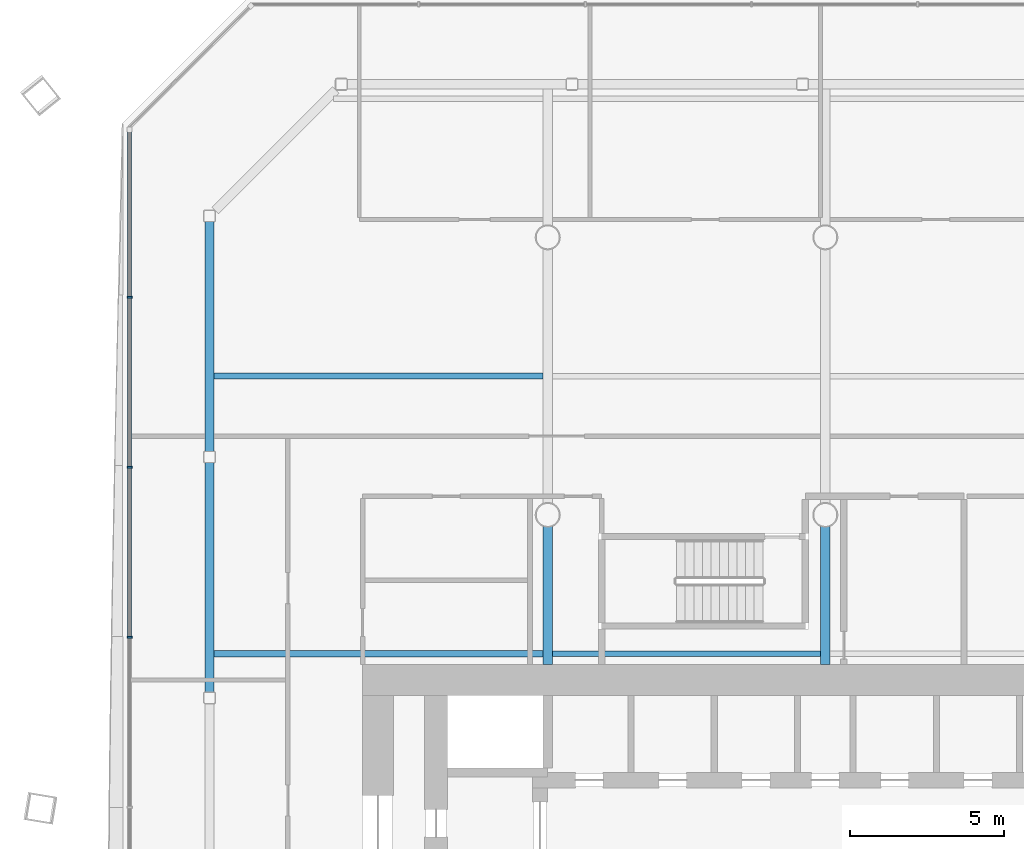
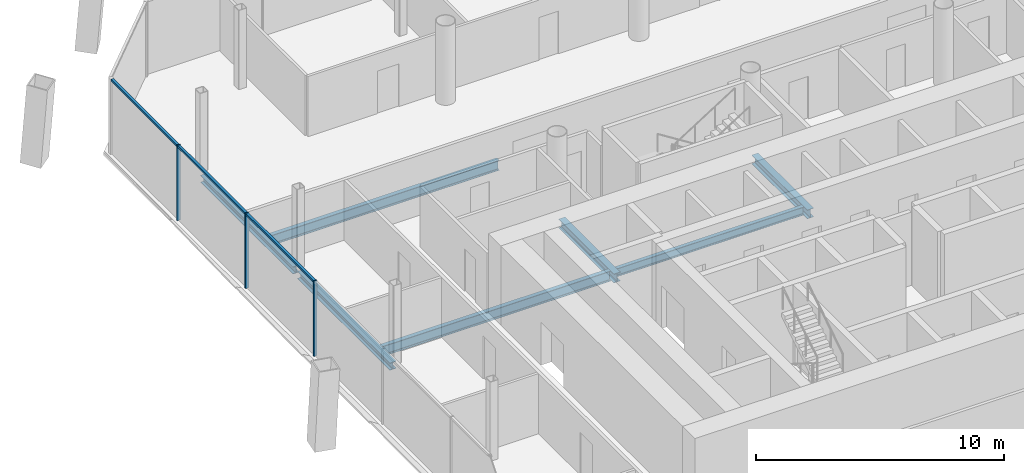
# One storey, part 7 of 20: 7 beams, 6 members, 1 element without a shape of its own.
"""IFC4 building model written with IfcOpenShell, lengths in metres."""

from ifc_helpers import new_model, si_unit, direction, frame, origin, origin_2d, place, context, subcontext, project, spatial, rectangle, i_section, extrude, material, material_profile, profile_set, type_object, element, aggregate, save


model = new_model("IFC4")

# Units and contexts
model_context = context("Model", 3, precision=1e-05, world=origin(), true_north=direction((0.0, 1.0)))
body_context = subcontext(model_context, "Body", "Model", "MODEL_VIEW")
ifc_project = project(units=[si_unit("LENGTHUNIT", "METRE"), si_unit("AREAUNIT", "SQUARE_METRE"), si_unit("VOLUMEUNIT", "CUBIC_METRE"), si_unit("PLANEANGLEUNIT", "RADIAN"), si_unit("MASSUNIT", "GRAM", prefix="KILO")], contexts=[model_context])

# Site, building, storey
site_placement = place(None, origin())
site = spatial("IfcSite", under=ifc_project, at=site_placement, CompositionType="ELEMENT")
building_placement = place(site_placement, origin())
building = spatial("IfcBuilding", under=site, at=building_placement, Name="Tskaro Facet Tower", CompositionType="ELEMENT")
storey_placement = place(building_placement, frame((0.0, 0.0, 66.0)))
storey = spatial("IfcBuildingStorey", under=building, at=storey_placement, Name="L15", CompositionType="ELEMENT", Elevation=66.0)

# Curtain wall, members
ifc_material_1 = material(Name="Bronze anodised aluminium 6063-T6", Category="aluminium")
curtain_wall_type = type_object("IfcCurtainWallType", Name="Bronze office curtain wall (FW1)", PredefinedType="NOTDEFINED", material=ifc_material_1)
curtain_wall_placement = place(storey_placement, origin())
curtain_wall = element("IfcCurtainWall", 1, at=curtain_wall_placement, inside=storey, type_object=curtain_wall_type, Name="FW1 west facet L15", PredefinedType="NOTDEFINED")
ifc_material_profile_1 = material_profile(ifc_material_1, rectangle(XDim=0.06005859375, YDim=0.159912109375, at=origin_2d()), Name="Mullion 60x160")
ifc_profile_set_1 = profile_set([ifc_material_profile_1], Name="Bronze anodised aluminium 6063-T6")
member_type_1 = type_object("IfcMemberType", Name="FW1 bronze mullion 60x160", PredefinedType="MULLION", material=ifc_profile_set_1)
member_1_placement = place(storey_placement, frame((-22.55908203125, 16.060791015625, 0.0), z_axis=(0.0, 0.0, 1.0), x_axis=(0.0, -1.0, 0.0)))
member_1 = element("IfcMember", 2, at=member_1_placement, type_object=member_type_1, Name="FW1 west mullion 1", PredefinedType="MULLION", context=body_context, shape_type="SweptSolid", body=[
    extrude(rectangle(XDim=0.06005859375, YDim=0.159912109375, at=origin_2d()), origin(), (0.0, 0.0, 1.0), 3.699951171875),
])
member_2_placement = place(storey_placement, frame((-22.55908203125, 10.5478515625, 0.0), z_axis=(0.0, 0.0, 1.0), x_axis=(0.0, -1.0, 0.0)))
member_2 = element("IfcMember", 3, at=member_2_placement, type_object=member_type_1, Name="FW1 west mullion 2", PredefinedType="MULLION", context=body_context, shape_type="SweptSolid", body=[
    extrude(rectangle(XDim=0.06005859375, YDim=0.159912109375, at=origin_2d()), origin(), (0.0, 0.0, 1.0), 3.699951171875),
])
member_3_placement = place(storey_placement, frame((-22.55908203125, 5.03466796875, 0.0), z_axis=(0.0, 0.0, 1.0), x_axis=(0.0, -1.0, 0.0)))
member_3 = element("IfcMember", 4, at=member_3_placement, type_object=member_type_1, Name="FW1 west mullion 3", PredefinedType="MULLION", context=body_context, shape_type="SweptSolid", body=[
    extrude(rectangle(XDim=0.06005859375, YDim=0.159912109375, at=origin_2d()), origin(), (0.0, 0.0, 1.0), 3.699951171875),
])
ifc_material_profile_2 = material_profile(ifc_material_1, rectangle(XDim=0.1201171875, YDim=0.10009765625, at=origin_2d()), Name="Transom 120x100")
ifc_profile_set_2 = profile_set([ifc_material_profile_2], Name="Bronze anodised aluminium 6063-T6")
member_type_2 = type_object("IfcMemberType", Name="FW1 bronze transom 120x100", PredefinedType="USERDEFINED", material=ifc_profile_set_2)
member_4_placement = place(storey_placement, frame((-22.55908203125, 21.4140625, 3.64990234375), z_axis=(0.0, -1.0, 0.0), x_axis=(1.0, 0.0, 0.0)))
member_4 = element("IfcMember", 5, at=member_4_placement, type_object=member_type_2, Name="FW1 west transom 1.1", ObjectType="TRANSOM", PredefinedType="USERDEFINED", context=body_context, shape_type="SweptSolid", body=[
    extrude(rectangle(XDim=0.1201171875, YDim=0.10009765625, at=origin_2d()), origin(), (0.0, 0.0, 1.0), 5.3232421875),
])
member_5_placement = place(storey_placement, frame((-22.55908203125, 16.03076171875, 3.64990234375), z_axis=(0.0, -1.0, 0.0), x_axis=(1.0, 0.0, 0.0)))
member_5 = element("IfcMember", 6, at=member_5_placement, type_object=member_type_2, Name="FW1 west transom 2.1", ObjectType="TRANSOM", PredefinedType="USERDEFINED", context=body_context, shape_type="SweptSolid", body=[
    extrude(rectangle(XDim=0.1201171875, YDim=0.10009765625, at=origin_2d()), origin(), (0.0, 0.0, 1.0), 5.453125),
])
member_6_placement = place(storey_placement, frame((-22.55908203125, 10.517822265625, 3.64990234375), z_axis=(0.0, -1.0, 0.0), x_axis=(1.0, 0.0, 0.0)))
member_6 = element("IfcMember", 7, at=member_6_placement, type_object=member_type_2, Name="FW1 west transom 3.1", ObjectType="TRANSOM", PredefinedType="USERDEFINED", context=body_context, shape_type="SweptSolid", body=[
    extrude(rectangle(XDim=0.1201171875, YDim=0.10009765625, at=origin_2d()), origin(), (0.0, 0.0, 1.0), 5.453125),
])
aggregate(curtain_wall, [member_1, member_2, member_3, member_4, member_5, member_6])

# Beams
ifc_material_2 = material(Name="Steel S355J2", Category="steel")
ifc_material_profile_3 = material_profile(ifc_material_2, i_section(OverallWidth=0.300048828125, OverallDepth=0.360107421875, WebThickness=0.012451171875, FlangeThickness=0.0224609375, FilletRadius=0.027099609375, at=origin_2d()), Name="HE 360 B")
ifc_profile_set_3 = profile_set([ifc_material_profile_3], Name="Steel S355J2")
beam_type_1 = type_object("IfcBeamType", Name="HE 360 B ring beam", PredefinedType="BEAM", material=ifc_profile_set_3)
for number, where, z_axis, x_axis, name in (
    (8, (-19.965087890625, 18.510009765625, -0.320068359375), (0.0, -1.0, 0.0), (1.0, 0.0, 0.0), "HE 360 B EB19-2"),
    (9, (-19.965087890625, 10.698974609375, -0.320068359375), (0.0, -1.0, 0.0), (1.0, 0.0, 0.0), "HE 360 B EB20-2"),
):
    element("IfcBeam", number, at=place(storey_placement, frame(where, z_axis=z_axis, x_axis=x_axis)), inside=storey, type_object=beam_type_1, Name=name, PredefinedType="BEAM", context=body_context, shape_type="SweptSolid", body=[
        extrude(i_section(OverallWidth=0.300048828125, OverallDepth=0.360107421875, WebThickness=0.012451171875, FlangeThickness=0.0224609375, FilletRadius=0.027099609375, at=origin_2d()), origin(), (0.0, 0.0, 1.0), 7.450927734375),
    ])
ifc_material_profile_4 = material_profile(ifc_material_2, i_section(OverallWidth=0.300048828125, OverallDepth=0.43994140625, WebThickness=0.011474609375, FlangeThickness=0.02099609375, FilletRadius=0.027099609375, at=origin_2d()), Name="HE 450 A")
ifc_profile_set_4 = profile_set([ifc_material_profile_4], Name="Steel S355J2")
beam_type_2 = type_object("IfcBeamType", Name="HE 450 A girder", PredefinedType="BEAM", material=ifc_profile_set_4)
for number, where, z_axis, x_axis, name in (
    (10, (-9.0, 4.14990234375, -0.360107421875), (0.0, 1.0, 0.0), (-1.0, 0.0, 0.0), "HE 450 A GB3-3-2"),
    (11, (0.0, 4.14990234375, -0.360107421875), (0.0, 1.0, 0.0), (-1.0, 0.0, 0.0), "HE 450 A GB4-3-2"),
):
    element("IfcBeam", number, at=place(storey_placement, frame(where, z_axis=z_axis, x_axis=x_axis)), inside=storey, type_object=beam_type_2, Name=name, PredefinedType="BEAM", context=body_context, shape_type="SweptSolid", body=[
        extrude(i_section(OverallWidth=0.300048828125, OverallDepth=0.43994140625, WebThickness=0.011474609375, FlangeThickness=0.02099609375, FilletRadius=0.027099609375, at=origin_2d()), origin(), (0.0, 0.0, 1.0), 4.4736328125),
    ])
ifc_material_profile_5 = material_profile(ifc_material_2, i_section(OverallWidth=0.179931640625, OverallDepth=0.39990234375, WebThickness=0.008544921875, FlangeThickness=0.013427734375, FilletRadius=0.02099609375, at=origin_2d()), Name="IPE 400")
ifc_profile_set_5 = profile_set([ifc_material_profile_5], Name="Steel S355J2")
beam_type_3 = type_object("IfcBeamType", Name="IPE 400 secondary beam", PredefinedType="BEAM", material=ifc_profile_set_5)
beam_placement = place(storey_placement, frame((-8.85009765625, 4.5, -0.340087890625), z_axis=(1.0, 0.0, 0.0), x_axis=(0.0, 1.0, 0.0)))
element("IfcBeam", 12, at=beam_placement, inside=storey, type_object=beam_type_3, Name="IPE 400 SB4a-2-2", PredefinedType="BEAM", context=body_context, shape_type="SweptSolid", body=[
    extrude(i_section(OverallWidth=0.179931640625, OverallDepth=0.39990234375, WebThickness=0.008544921875, FlangeThickness=0.013427734375, FilletRadius=0.02099609375, at=origin_2d()), origin(), (0.0, 0.0, 1.0), 8.7001953125),
])
ifc_material_profile_6 = material_profile(ifc_material_2, i_section(OverallWidth=0.199951171875, OverallDepth=0.5, WebThickness=0.01025390625, FlangeThickness=0.01611328125, FilletRadius=0.02099609375, at=origin_2d()), Name="IPE 500")
ifc_profile_set_6 = profile_set([ifc_material_profile_6], Name="Steel S355J2")
beam_type_4 = type_object("IfcBeamType", Name="IPE 500 long secondary beam", PredefinedType="BEAM", material=ifc_profile_set_6)
for number, where, z_axis, x_axis, name in (
    (13, (-19.81494140625, 4.5, -0.389892578125), (1.0, 0.0, 0.0), (0.0, 1.0, 0.0), "IPE 500 LSB4a-1-2"),
    (14, (-19.81494140625, 13.5, -0.389892578125), (1.0, 0.0, 0.0), (0.0, 1.0, 0.0), "IPE 500 LSB5a-1-2"),
):
    element("IfcBeam", number, at=place(storey_placement, frame(where, z_axis=z_axis, x_axis=x_axis)), inside=storey, type_object=beam_type_4, Name=name, PredefinedType="BEAM", context=body_context, shape_type="SweptSolid", body=[
        extrude(i_section(OverallWidth=0.199951171875, OverallDepth=0.5, WebThickness=0.01025390625, FlangeThickness=0.01611328125, FilletRadius=0.02099609375, at=origin_2d()), origin(), (0.0, 0.0, 1.0), 10.6650390625),
    ])

save(model, "model.ifc")
